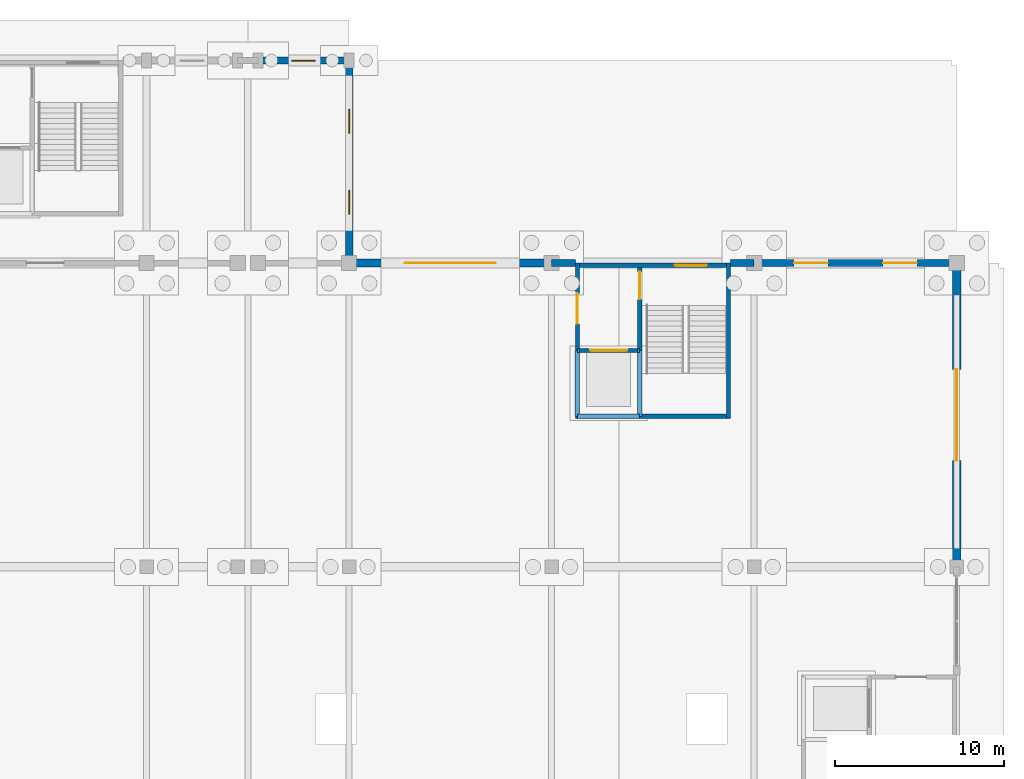
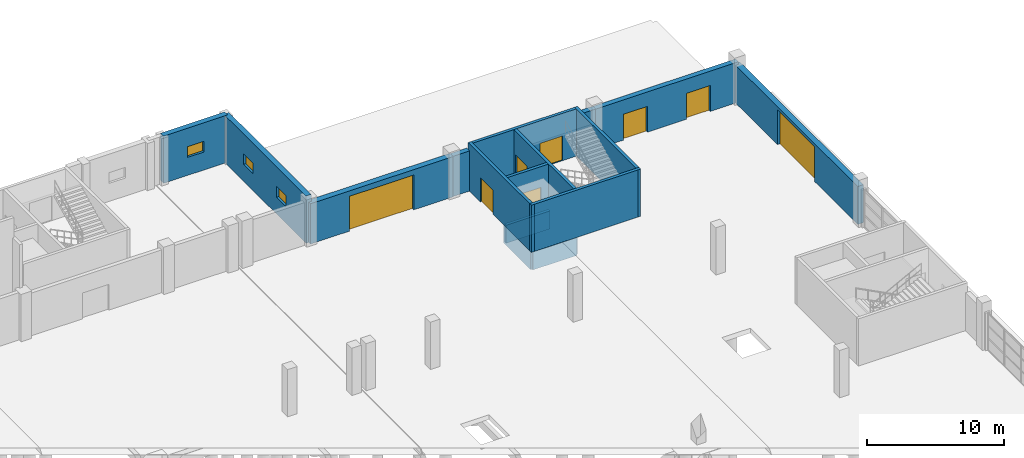
# One storey, part 66 of 77: 17 walls, 8 doors, 3 windows, 11 openings.
"""IFC4 building model written with IfcOpenShell, lengths in metres."""

from ifc_helpers import new_model, si_unit, direction, frame, frame_2d, origin, place, context, subcontext, project, spatial, rectangle, extrude, material, layer, layer_set, type_object, element, fill, save


model = new_model("IFC4")

# Units and contexts
model_context = context("Model", 3, precision=1e-05, world=origin(), true_north=direction((0.0, 1.0)))
body_context = subcontext(model_context, "Body", "Model", "MODEL_VIEW")
ifc_project = project(units=[si_unit("LENGTHUNIT", "METRE"), si_unit("AREAUNIT", "SQUARE_METRE"), si_unit("VOLUMEUNIT", "CUBIC_METRE"), si_unit("PLANEANGLEUNIT", "RADIAN"), si_unit("MASSUNIT", "GRAM", prefix="KILO")], contexts=[model_context])

# Site, building, storey
site_placement = place(None, origin())
site = spatial("IfcSite", under=ifc_project, at=site_placement, CompositionType="ELEMENT")
building_placement = place(site_placement, origin())
building = spatial("IfcBuilding", under=site, at=building_placement, Name="Zilviju Railside Exhibition Hall", CompositionType="ELEMENT")
storey_placement = place(building_placement, origin())
storey = spatial("IfcBuildingStorey", under=building, at=storey_placement, Name="L01", CompositionType="ELEMENT", Elevation=0.0)

# Walls
ifc_material_1 = material(Name="Concrete C35/45", Category="concrete")
ifc_layer_1 = layer(ifc_material_1, 0.25)
ifc_layer_set_1 = layer_set([ifc_layer_1], Name="Concrete C35/45")
wall_type_1 = type_object("IfcWallType", Name="WL-CORE-250", PredefinedType="SHEAR", material=ifc_layer_set_1)
wall_1_placement = place(storey_placement, frame((202.47509765625, 138.0, 0.0), z_axis=(0.0, 0.0, 1.0), x_axis=(0.0, -1.0, 0.0)))
element("IfcWall", 1, at=wall_1_placement, inside=storey, type_object=wall_type_1, Name="Core C08 North Hall Rail East Stairwell Outer Wall L01", PredefinedType="SHEAR", context=body_context, shape_type="SweptSolid", body=[
    extrude(rectangle(XDim=9.199951171875, YDim=0.25, at=frame_2d((4.60009765625, 0.0))), origin(), (0.0, 0.0, 1.0), 4.199951171875),
])
wall_2_placement = place(storey_placement, frame((202.60009765625, 128.925048828125, 0.0), z_axis=(0.0, 0.0, 1.0), x_axis=(-1.0, 0.0, 0.0)))
element("IfcWall", 2, at=wall_2_placement, inside=storey, type_object=wall_type_1, Name="Core C08 North Hall Rail East Core Rear Wall L01", PredefinedType="SHEAR", context=body_context, shape_type="SweptSolid", body=[
    extrude(rectangle(XDim=9.2001953125, YDim=0.25, at=frame_2d((4.60009765625, 0.0))), origin(), (0.0, 0.0, 1.0), 4.199951171875),
])

# Wall, opening, door
wall_3_placement = place(storey_placement, frame((193.52490234375, 138.0, 0.0), z_axis=(0.0, 0.0, 1.0), x_axis=(0.0, -1.0, 0.0)))
wall_3 = element("IfcWall", 3, at=wall_3_placement, inside=storey, type_object=wall_type_1, Name="Core C08 North Hall Rail East Lobby Side Wall L01", PredefinedType="SHEAR", context=body_context, shape_type="SweptSolid", body=[
    extrude(rectangle(XDim=9.199951171875, YDim=0.25, at=frame_2d((4.60009765625, 0.0))), origin(), (0.0, 0.0, 1.0), 4.199951171875),
])
opening_1_placement = place(wall_3_placement, frame((1.800048828125, 0.0, 0.0)))
opening_1 = element("IfcOpeningElement", 4, at=opening_1_placement, cuts=wall_3, Name="Opening FD-02", PredefinedType="OPENING", context=body_context, shape_type="SweptSolid", body=[
    extrude(rectangle(XDim=1.800048828125, YDim=2.14990234375, at=frame_2d((0.89990234375, 1.074951171875))), frame((0.0, 0.135009765625, 0.0), z_axis=(0.0, -1.0, 0.0), x_axis=(1.0, 0.0, 0.0)), (0.0, 0.0, 1.0), 0.27001953125),
])
ifc_material_2 = material(Name="Self-closing glazed steel core lobby fire door EI 60", Category="steel")
door_type_1 = type_object("IfcDoorType", Name="DR-LOBBY-180x215", OperationType="NOTDEFINED", PredefinedType="DOOR", material=ifc_material_2)
door_1_placement = place(opening_1_placement, origin())
door_1 = element("IfcDoor", 5, at=door_1_placement, inside=storey, type_object=door_type_1, Name="Core C08 North Hall Rail East Lobby Fire Door L01", OperationType="DOUBLE_DOOR_SINGLE_SWING", OverallHeight=2.14990234375, OverallWidth=1.800048828125, PredefinedType="DOOR", context=body_context, shape_type="SweptSolid", body=[
    extrude(rectangle(XDim=1.800048828125, YDim=2.14990234375, at=frame_2d((0.89990234375, 1.074951171875))), frame((0.0, 0.02490234375, 0.0), z_axis=(0.0, -1.0, 0.0), x_axis=(1.0, 0.0, 0.0)), (0.0, 0.0, 1.0), 0.050048828125),
])
fill(opening_1, door_1)

wall_4_placement = place(storey_placement, frame((197.22509765625, 137.75, 0.0), z_axis=(0.0, 0.0, 1.0), x_axis=(0.0, -1.0, 0.0)))
wall_4 = element("IfcWall", 6, at=wall_4_placement, inside=storey, type_object=wall_type_1, Name="Core C08 North Hall Rail East Stairwell Partition Wall L01", PredefinedType="SHEAR", context=body_context, shape_type="SweptSolid", body=[
    extrude(rectangle(XDim=8.699951171875, YDim=0.25, at=frame_2d((4.35009765625, 0.0))), origin(), (0.0, 0.0, 1.0), 4.199951171875),
])
opening_2_placement = place(wall_4_placement, frame((0.25, 0.0, 0.0)))
opening_2 = element("IfcOpeningElement", 7, at=opening_2_placement, cuts=wall_4, Name="Opening FD-01", PredefinedType="OPENING", context=body_context, shape_type="SweptSolid", body=[
    extrude(rectangle(XDim=1.64990234375, YDim=2.10009765625, at=frame_2d((0.824951171875, 1.050048828125))), frame((0.0, 0.135009765625, 0.0), z_axis=(0.0, -1.0, 0.0), x_axis=(1.0, 0.0, 0.0)), (0.0, 0.0, 1.0), 0.27001953125),
])
ifc_material_3 = material(Name="Self-closing steel stair enclosure fire door EI 60", Category="steel")
door_type_2 = type_object("IfcDoorType", Name="DR-STAIR-165x210", OperationType="NOTDEFINED", PredefinedType="DOOR", material=ifc_material_3)
door_2_placement = place(opening_2_placement, origin())
door_2 = element("IfcDoor", 8, at=door_2_placement, inside=storey, type_object=door_type_2, Name="Core C08 North Hall Rail East Protected Stair Door L01", OperationType="SINGLE_SWING_RIGHT", OverallHeight=2.10009765625, OverallWidth=1.64990234375, PredefinedType="DOOR", context=body_context, shape_type="SweptSolid", body=[
    extrude(rectangle(XDim=1.64990234375, YDim=2.10009765625, at=frame_2d((0.824951171875, 1.050048828125))), frame((0.0, 0.02490234375, 0.0), z_axis=(0.0, -1.0, 0.0), x_axis=(1.0, 0.0, 0.0)), (0.0, 0.0, 1.0), 0.050048828125),
])
fill(opening_2, door_2)

wall_5_placement = place(storey_placement, frame((197.10009765625, 132.824951171875, 0.0), z_axis=(0.0, 0.0, 1.0), x_axis=(-1.0, 0.0, 0.0)))
wall_5 = element("IfcWall", 9, at=wall_5_placement, inside=storey, type_object=wall_type_1, Name="Core C08 North Hall Rail East Lift Shaft Front Wall L01", PredefinedType="SHEAR", context=body_context, shape_type="SweptSolid", body=[
    extrude(rectangle(XDim=3.4501953125, YDim=0.25, at=frame_2d((1.72509765625, 0.0))), origin(), (0.0, 0.0, 1.0), 4.199951171875),
])
opening_3_placement = place(wall_5_placement, frame((0.625, 0.0, 0.0)))
opening_3 = element("IfcOpeningElement", 10, at=opening_3_placement, cuts=wall_5, Name="Opening LD-02", PredefinedType="OPENING", context=body_context, shape_type="SweptSolid", body=[
    extrude(rectangle(XDim=2.199951171875, YDim=2.35009765625, at=frame_2d((1.10009765625, 1.175048828125))), frame((0.0, 0.135009765625, 0.0), z_axis=(0.0, -1.0, 0.0), x_axis=(1.0, 0.0, 0.0)), (0.0, 0.0, 1.0), 0.27001953125),
])
ifc_material_4 = material(Name="Heavy freight lift sliding landing door EI 60", Category="wood")
door_type_3 = type_object("IfcDoorType", Name="DR-LIFT-220x235", OperationType="NOTDEFINED", PredefinedType="DOOR", material=ifc_material_4)
door_3_placement = place(opening_3_placement, origin())
door_3 = element("IfcDoor", 11, at=door_3_placement, inside=storey, type_object=door_type_3, Name="Lift Landing Door LF-02 L01", OperationType="SLIDING_TO_RIGHT", OverallHeight=2.35009765625, OverallWidth=2.199951171875, PredefinedType="DOOR", context=body_context, shape_type="SweptSolid", body=[
    extrude(rectangle(XDim=2.199951171875, YDim=2.35009765625, at=frame_2d((1.10009765625, 1.175048828125))), frame((0.0, 0.02490234375, 0.0), z_axis=(0.0, -1.0, 0.0), x_axis=(1.0, 0.0, 0.0)), (0.0, 0.0, 1.0), 0.050048828125),
])
fill(opening_3, door_3)

# Walls
ifc_material_5 = material(Name="Concrete C40/50", Category="concrete")
ifc_layer_2 = layer(ifc_material_5, 0.25)
ifc_layer_set_2 = layer_set([ifc_layer_2], Name="Concrete C40/50")
wall_type_2 = type_object("IfcWallType", Name="WL-CORE-300", PredefinedType="SHEAR", material=ifc_layer_set_2)
wall_6_placement = place(storey_placement, frame((197.219970703125, 132.820068359375, -1.60009765625), z_axis=(0.0, 0.0, 1.0), x_axis=(-1.0, 0.0, 0.0)))
element("IfcWall", 12, at=wall_6_placement, inside=storey, type_object=wall_type_2, Name="Core C08 North Hall Rail East Lift Pit Wall 1", PredefinedType="SHEAR", context=body_context, shape_type="SweptSolid", body=[
    extrude(rectangle(XDim=3.699951171875, YDim=0.25, at=frame_2d((1.85009765625, 0.0))), origin(), (0.0, 0.0, 1.0), 1.60009765625),
])
wall_7_placement = place(storey_placement, frame((193.52001953125, 132.820068359375, -1.60009765625), z_axis=(0.0, 0.0, 1.0), x_axis=(0.0, -1.0, 0.0)))
element("IfcWall", 13, at=wall_7_placement, inside=storey, type_object=wall_type_2, Name="Core C08 North Hall Rail East Lift Pit Wall 2", PredefinedType="SHEAR", context=body_context, shape_type="SweptSolid", body=[
    extrude(rectangle(XDim=3.900146484375, YDim=0.25, at=frame_2d((1.9501953125, 0.0))), origin(), (0.0, 0.0, 1.0), 1.60009765625),
])
wall_8_placement = place(storey_placement, frame((193.52001953125, 128.919921875, -1.60009765625), z_axis=(0.0, 0.0, 1.0), x_axis=(1.0, 0.0, 0.0)))
element("IfcWall", 14, at=wall_8_placement, inside=storey, type_object=wall_type_2, Name="Core C08 North Hall Rail East Lift Pit Wall 3", PredefinedType="SHEAR", context=body_context, shape_type="SweptSolid", body=[
    extrude(rectangle(XDim=3.699951171875, YDim=0.25, at=frame_2d((1.85009765625, 0.0))), origin(), (0.0, 0.0, 1.0), 1.60009765625),
])
wall_9_placement = place(storey_placement, frame((197.219970703125, 128.919921875, -1.60009765625), z_axis=(0.0, 0.0, 1.0), x_axis=(0.0, 1.0, 0.0)))
element("IfcWall", 15, at=wall_9_placement, inside=storey, type_object=wall_type_2, Name="Core C08 North Hall Rail East Lift Pit Wall 4", PredefinedType="SHEAR", context=body_context, shape_type="SweptSolid", body=[
    extrude(rectangle(XDim=3.900146484375, YDim=0.25, at=frame_2d((1.9501953125, 0.0))), origin(), (0.0, 0.0, 1.0), 1.60009765625),
])

# Wall, opening, door
wall_10_placement = place(storey_placement, frame((193.39990234375, 137.875, 0.0), z_axis=(0.0, 0.0, 1.0), x_axis=(1.0, 0.0, 0.0)))
wall_10 = element("IfcWall", 16, at=wall_10_placement, inside=storey, type_object=wall_type_2, Name="Core C08 North Hall Rail East Exterior Core Wall L01", PredefinedType="SHEAR", context=body_context, shape_type="SweptSolid", body=[
    extrude(rectangle(XDim=9.2001953125, YDim=0.25, at=frame_2d((4.60009765625, 0.0))), origin(), (0.0, 0.0, 1.0), 4.199951171875),
])
opening_4_placement = place(wall_10_placement, frame((5.89990234375, 0.0, 0.0)))
opening_4 = element("IfcOpeningElement", 17, at=opening_4_placement, cuts=wall_10, Name="Opening ED-02", PredefinedType="OPENING", context=body_context, shape_type="SweptSolid", body=[
    extrude(rectangle(XDim=1.89990234375, YDim=2.199951171875, at=frame_2d((0.949951171875, 1.10009765625))), frame((0.0, 0.135009765625, 0.0), z_axis=(0.0, -1.0, 0.0), x_axis=(1.0, 0.0, 0.0)), (0.0, 0.0, 1.0), 0.27001953125),
])
ifc_material_6 = material(Name="Insulated aluminium stair discharge door", Category="aluminium")
door_type_4 = type_object("IfcDoorType", Name="DR-EXT-EXIT-190x220", OperationType="NOTDEFINED", PredefinedType="DOOR", material=ifc_material_6)
door_4_placement = place(opening_4_placement, origin())
door_4 = element("IfcDoor", 18, at=door_4_placement, inside=storey, type_object=door_type_4, Name="Core C08 North Hall Rail East Exit Stair Discharge Door ED-C08", OperationType="DOUBLE_DOOR_SINGLE_SWING", OverallHeight=2.199951171875, OverallWidth=1.89990234375, PredefinedType="DOOR", context=body_context, shape_type="SweptSolid", body=[
    extrude(rectangle(XDim=1.89990234375, YDim=2.199951171875, at=frame_2d((0.949951171875, 1.10009765625))), frame((0.0, 0.02490234375, 0.0), z_axis=(0.0, -1.0, 0.0), x_axis=(1.0, 0.0, 0.0)), (0.0, 0.0, 1.0), 0.050048828125),
])
fill(opening_4, door_4)

# Walls
ifc_material_7 = material(Name="Insulated Jugendstils ochre brick facade wall", Category="masonry")
ifc_layer_3 = layer(ifc_material_7, 0.419921875)
ifc_layer_set_3 = layer_set([ifc_layer_3], Name="Insulated Jugendstils ochre brick facade wall")
wall_type_3 = type_object("IfcWallType", Name="WL-EXT-420", PredefinedType="SOLIDWALL", material=ifc_layer_set_3)
for number, where, z_axis, x_axis, name in (
    (19, (192.0, 138.0, 0.0), (0.0, 0.0, 1.0), (1.0, 0.0, 0.0), "Exterior Facade Wall L01 North 0177"),
    (20, (202.60009765625, 138.0, 0.0), (0.0, 0.0, 1.0), (1.0, 0.0, 0.0), "Exterior Facade Wall L01 North 0178"),
):
    element("IfcWall", number, at=place(storey_placement, frame(where, z_axis=z_axis, x_axis=x_axis)), inside=storey, type_object=wall_type_3, Name=name, PredefinedType="SOLIDWALL", context=body_context, shape_type="SweptSolid", body=[
        extrude(rectangle(XDim=1.39990234375, YDim=0.419921875, at=frame_2d((0.699951171875, 0.0))), origin(), (0.0, 0.0, 1.0), 3.580078125),
    ])

# Wall, openings, doors
wall_11_placement = place(storey_placement, frame((204.0, 138.0, 0.0), z_axis=(0.0, 0.0, 1.0), x_axis=(1.0, 0.0, 0.0)))
wall_11 = element("IfcWall", 21, at=wall_11_placement, inside=storey, type_object=wall_type_3, Name="Exterior Facade Wall L01 North 0179", PredefinedType="SOLIDWALL", context=body_context, shape_type="SweptSolid", body=[
    extrude(rectangle(XDim=12.0, YDim=0.419921875, at=frame_2d((6.0, 0.0))), origin(), (0.0, 0.0, 1.0), 3.580078125),
])
opening_5_placement = place(wall_11_placement, frame((2.360107421875, 0.0, 0.0)))
opening_5 = element("IfcOpeningElement", 22, at=opening_5_placement, cuts=wall_11, Name="Opening ED-01", PredefinedType="OPENING", context=body_context, shape_type="SweptSolid", body=[
    extrude(rectangle(XDim=2.0, YDim=2.300048828125, at=frame_2d((1.0, 1.14990234375))), frame((0.0, 0.219970703125, 0.0), z_axis=(0.0, -1.0, 0.0), x_axis=(1.0, 0.0, 0.0)), (0.0, 0.0, 1.0), 0.43994140625),
])
opening_6_placement = place(wall_11_placement, frame((7.639892578125, 0.0, 0.0)))
opening_6 = element("IfcOpeningElement", 23, at=opening_6_placement, cuts=wall_11, Name="Opening ED-01", PredefinedType="OPENING", context=body_context, shape_type="SweptSolid", body=[
    extrude(rectangle(XDim=2.0, YDim=2.300048828125, at=frame_2d((1.0, 1.14990234375))), frame((0.0, 0.219970703125, 0.0), z_axis=(0.0, -1.0, 0.0), x_axis=(1.0, 0.0, 0.0)), (0.0, 0.0, 1.0), 0.43994140625),
])
ifc_material_8 = material(Name="Insulated bronze-clad aluminium exit door", Category="aluminium")
door_type_5 = type_object("IfcDoorType", Name="DR-EXT-EXIT-200x230", OperationType="NOTDEFINED", PredefinedType="DOOR", material=ifc_material_8)
door_5_placement = place(opening_5_placement, origin())
door_5 = element("IfcDoor", 24, at=door_5_placement, inside=storey, type_object=door_type_5, Name="Pedestrian Final Exit Door ED-031", OperationType="DOUBLE_DOOR_SINGLE_SWING", OverallHeight=2.300048828125, OverallWidth=2.0, PredefinedType="DOOR", context=body_context, shape_type="SweptSolid", body=[
    extrude(rectangle(XDim=2.0, YDim=2.300048828125, at=frame_2d((1.0, 1.14990234375))), frame((0.0, 0.02490234375, 0.0), z_axis=(0.0, -1.0, 0.0), x_axis=(1.0, 0.0, 0.0)), (0.0, 0.0, 1.0), 0.050048828125),
])
fill(opening_5, door_5)
door_6_placement = place(opening_6_placement, origin())
door_6 = element("IfcDoor", 25, at=door_6_placement, inside=storey, type_object=door_type_5, Name="Pedestrian Final Exit Door ED-032", OperationType="DOUBLE_DOOR_SINGLE_SWING", OverallHeight=2.300048828125, OverallWidth=2.0, PredefinedType="DOOR", context=body_context, shape_type="SweptSolid", body=[
    extrude(rectangle(XDim=2.0, YDim=2.300048828125, at=frame_2d((1.0, 1.14990234375))), frame((0.0, 0.02490234375, 0.0), z_axis=(0.0, -1.0, 0.0), x_axis=(1.0, 0.0, 0.0)), (0.0, 0.0, 1.0), 0.050048828125),
])
fill(opening_6, door_6)

# Wall, opening, door
ifc_material_9 = material(Name="Insulated Baltic granite plinth masonry wall", Category="masonry")
ifc_layer_4 = layer(ifc_material_9, 0.47998046875)
ifc_layer_set_4 = layer_set([ifc_layer_4], Name="Insulated Baltic granite plinth masonry wall")
wall_type_4 = type_object("IfcWallType", Name="WL-EXT-480", PredefinedType="SOLIDWALL", material=ifc_layer_set_4)
wall_12_placement = place(storey_placement, frame((180.0, 138.0, 0.0), z_axis=(0.0, 0.0, 1.0), x_axis=(1.0, 0.0, 0.0)))
wall_12 = element("IfcWall", 26, at=wall_12_placement, inside=storey, type_object=wall_type_4, Name="Exterior Facade Wall L01 North 0176", PredefinedType="SOLIDWALL", context=body_context, shape_type="SweptSolid", body=[
    extrude(rectangle(XDim=12.0, YDim=0.47998046875, at=frame_2d((6.0, 0.0))), origin(), (0.0, 0.0, 1.0), 3.580078125),
])
opening_7_placement = place(wall_12_placement, frame((3.300048828125, 0.0, 0.0)))
opening_7 = element("IfcOpeningElement", 27, at=opening_7_placement, cuts=wall_12, Name="Opening VG-02", PredefinedType="OPENING", context=body_context, shape_type="SweptSolid", body=[
    extrude(rectangle(XDim=5.39990234375, YDim=3.10009765625, at=frame_2d((2.699951171875, 1.550048828125))), frame((0.0, 0.25, 0.0), z_axis=(0.0, -1.0, 0.0), x_axis=(1.0, 0.0, 0.0)), (0.0, 0.0, 1.0), 0.5),
])
ifc_material_10 = material(Name="Insulated steel hall freight roller shutter gate", Category="steel")
door_type_6 = type_object("IfcDoorType", Name="GT-HGV-540x360", OperationType="NOTDEFINED", PredefinedType="GATE", material=ifc_material_10)
door_7_placement = place(opening_7_placement, origin())
door_7 = element("IfcDoor", 28, at=door_7_placement, inside=storey, type_object=door_type_6, Name="North Hall Ground Freight Gate VG-05", OperationType="ROLLINGUP", OverallHeight=3.10009765625, OverallWidth=5.39990234375, PredefinedType="GATE", context=body_context, shape_type="SweptSolid", body=[
    extrude(rectangle(XDim=5.39990234375, YDim=3.10009765625, at=frame_2d((2.699951171875, 1.550048828125))), frame((0.0, 0.02490234375, 0.0), z_axis=(0.0, -1.0, 0.0), x_axis=(1.0, 0.0, 0.0)), (0.0, 0.0, 1.0), 0.050048828125),
])
fill(opening_7, door_7)

wall_13_placement = place(storey_placement, frame((216.0, 138.0, 0.0), z_axis=(0.0, 0.0, 1.0), x_axis=(0.0, -1.0, 0.0)))
wall_13 = element("IfcWall", 29, at=wall_13_placement, inside=storey, type_object=wall_type_4, Name="Exterior Facade Wall L01 East 0185", PredefinedType="SOLIDWALL", context=body_context, shape_type="SweptSolid", body=[
    extrude(rectangle(XDim=18.0, YDim=0.47998046875, at=frame_2d((9.0, 0.0))), origin(), (0.0, 0.0, 1.0), 3.3701171875),
])
opening_8_placement = place(wall_13_placement, frame((6.300048828125, 0.0, 0.0)))
opening_8 = element("IfcOpeningElement", 30, at=opening_8_placement, cuts=wall_13, Name="Opening VG-02", PredefinedType="OPENING", context=body_context, shape_type="SweptSolid", body=[
    extrude(rectangle(XDim=5.39990234375, YDim=3.10009765625, at=frame_2d((2.699951171875, 1.550048828125))), frame((0.0, 0.25, 0.0), z_axis=(0.0, -1.0, 0.0), x_axis=(1.0, 0.0, 0.0)), (0.0, 0.0, 1.0), 0.5),
])
door_8_placement = place(opening_8_placement, origin())
door_8 = element("IfcDoor", 31, at=door_8_placement, inside=storey, type_object=door_type_6, Name="North Hall East Freight Shutter Gate VG-06", OperationType="ROLLINGUP", OverallHeight=3.10009765625, OverallWidth=5.39990234375, PredefinedType="GATE", context=body_context, shape_type="SweptSolid", body=[
    extrude(rectangle(XDim=5.39990234375, YDim=3.10009765625, at=frame_2d((2.699951171875, 1.550048828125))), frame((0.0, 0.02490234375, 0.0), z_axis=(0.0, -1.0, 0.0), x_axis=(1.0, 0.0, 0.0)), (0.0, 0.0, 1.0), 0.050048828125),
])
fill(opening_8, door_8)

# Wall, opening, window
ifc_layer_5 = layer(ifc_material_5, 0.43994140625)
ifc_layer_set_5 = layer_set([ifc_layer_5], Name="Concrete C40/50")
wall_type_5 = type_object("IfcWallType", Name="WL-EXT-AC440", PredefinedType="SHEAR", material=ifc_layer_set_5)
wall_14_placement = place(storey_placement, frame((174.60009765625, 150.0, 0.0), z_axis=(0.0, 0.0, 1.0), x_axis=(1.0, 0.0, 0.0)))
wall_14 = element("IfcWall", 32, at=wall_14_placement, inside=storey, type_object=wall_type_5, Name="Exterior Facade Wall L01 North 0538", PredefinedType="SHEAR", context=body_context, shape_type="SweptSolid", body=[
    extrude(rectangle(XDim=5.39990234375, YDim=0.43994140625, at=frame_2d((2.699951171875, 0.0))), origin(), (0.0, 0.0, 1.0), 4.199951171875),
])
opening_9_placement = place(wall_14_placement, frame((2.0, 0.0, 1.60009765625)))
opening_9 = element("IfcOpeningElement", 33, at=opening_9_placement, cuts=wall_14, Name="Opening WN-17", PredefinedType="OPENING", context=body_context, shape_type="SweptSolid", body=[
    extrude(rectangle(XDim=1.39990234375, YDim=0.949951171875, at=frame_2d((0.699951171875, 0.47509765625))), frame((0.0, 0.22998046875, 0.0), z_axis=(0.0, -1.0, 0.0), x_axis=(1.0, 0.0, 0.0)), (0.0, 0.0, 1.0), 0.4599609375),
])
ifc_material_11 = material(Name="Triple-glazed timber-aluminium window unit", Category="wood")
window_type = type_object("IfcWindowType", Name="WIN-LOG-140x095", PartitioningType="DOUBLE_PANEL_VERTICAL", PredefinedType="WINDOW", material=ifc_material_11)
window_1_placement = place(opening_9_placement, origin())
window_1 = element("IfcWindow", 34, at=window_1_placement, inside=storey, type_object=window_type, Name="Facade Window L01 WN-0109", OverallHeight=0.949951171875, OverallWidth=1.39990234375, PartitioningType="SINGLE_PANEL", PredefinedType="WINDOW", context=body_context, shape_type="SweptSolid", body=[
    extrude(rectangle(XDim=1.39990234375, YDim=0.949951171875, at=frame_2d((0.699951171875, 0.47509765625))), frame((0.0, 0.030029296875, 0.0), z_axis=(0.0, -1.0, 0.0), x_axis=(1.0, 0.0, 0.0)), (0.0, 0.0, 1.0), 0.06005859375),
])
fill(opening_9, window_1)

# Wall, openings, windows
wall_15_placement = place(storey_placement, frame((180.0, 150.0, 0.0), z_axis=(0.0, 0.0, 1.0), x_axis=(0.0, -1.0, 0.0)))
wall_15 = element("IfcWall", 35, at=wall_15_placement, inside=storey, type_object=wall_type_5, Name="Exterior Facade Wall L01 East 0578", PredefinedType="SHEAR", context=body_context, shape_type="SweptSolid", body=[
    extrude(rectangle(XDim=12.0, YDim=0.43994140625, at=frame_2d((6.0, 0.0))), origin(), (0.0, 0.0, 1.0), 4.199951171875),
])
opening_10_placement = place(wall_15_placement, frame((2.89990234375, 0.0, 1.5)))
opening_10 = element("IfcOpeningElement", 36, at=opening_10_placement, cuts=wall_15, Name="Opening WN-17", PredefinedType="OPENING", context=body_context, shape_type="SweptSolid", body=[
    extrude(rectangle(XDim=1.39990234375, YDim=0.949951171875, at=frame_2d((0.699951171875, 0.47509765625))), frame((0.0, 0.22998046875, 0.0), z_axis=(0.0, -1.0, 0.0), x_axis=(1.0, 0.0, 0.0)), (0.0, 0.0, 1.0), 0.4599609375),
])
opening_11_placement = place(wall_15_placement, frame((7.699951171875, 0.0, 1.5)))
opening_11 = element("IfcOpeningElement", 37, at=opening_11_placement, cuts=wall_15, Name="Opening WN-17", PredefinedType="OPENING", context=body_context, shape_type="SweptSolid", body=[
    extrude(rectangle(XDim=1.39990234375, YDim=0.949951171875, at=frame_2d((0.699951171875, 0.47509765625))), frame((0.0, 0.22998046875, 0.0), z_axis=(0.0, -1.0, 0.0), x_axis=(1.0, 0.0, 0.0)), (0.0, 0.0, 1.0), 0.4599609375),
])
window_2_placement = place(opening_10_placement, origin())
window_2 = element("IfcWindow", 38, at=window_2_placement, inside=storey, type_object=window_type, Name="Facade Window L01 WN-0170", OverallHeight=0.949951171875, OverallWidth=1.39990234375, PartitioningType="SINGLE_PANEL", PredefinedType="WINDOW", context=body_context, shape_type="SweptSolid", body=[
    extrude(rectangle(XDim=1.39990234375, YDim=0.949951171875, at=frame_2d((0.699951171875, 0.47509765625))), frame((0.0, 0.030029296875, 0.0), z_axis=(0.0, -1.0, 0.0), x_axis=(1.0, 0.0, 0.0)), (0.0, 0.0, 1.0), 0.06005859375),
])
fill(opening_10, window_2)
window_3_placement = place(opening_11_placement, origin())
window_3 = element("IfcWindow", 39, at=window_3_placement, inside=storey, type_object=window_type, Name="Facade Window L01 WN-0171", OverallHeight=0.949951171875, OverallWidth=1.39990234375, PartitioningType="SINGLE_PANEL", PredefinedType="WINDOW", context=body_context, shape_type="SweptSolid", body=[
    extrude(rectangle(XDim=1.39990234375, YDim=0.949951171875, at=frame_2d((0.699951171875, 0.47509765625))), frame((0.0, 0.030029296875, 0.0), z_axis=(0.0, -1.0, 0.0), x_axis=(1.0, 0.0, 0.0)), (0.0, 0.0, 1.0), 0.06005859375),
])
fill(opening_11, window_3)

save(model, "model.ifc")
